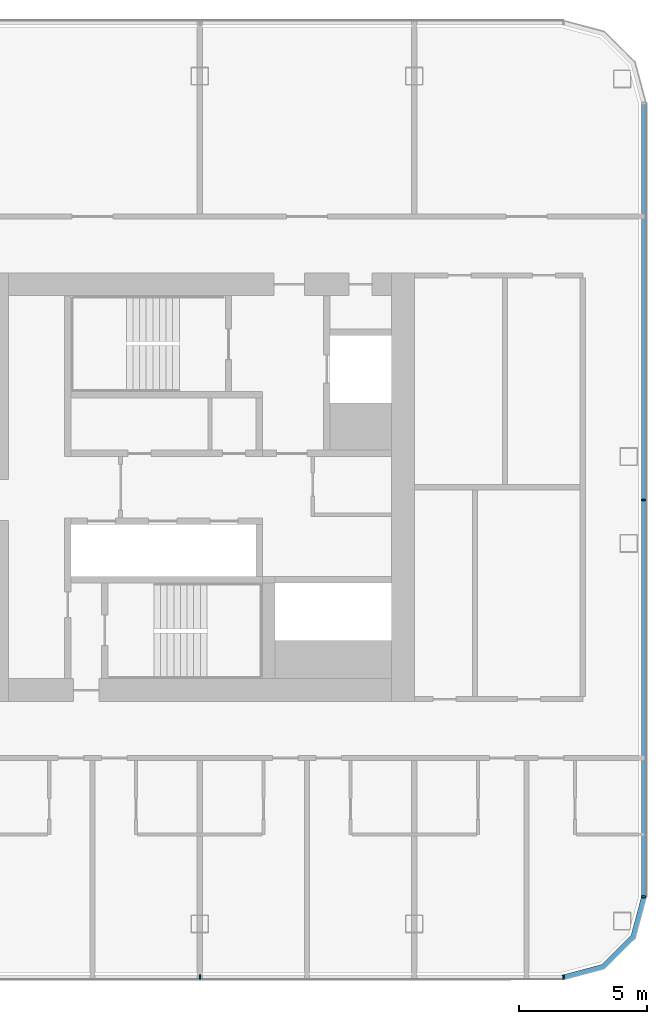
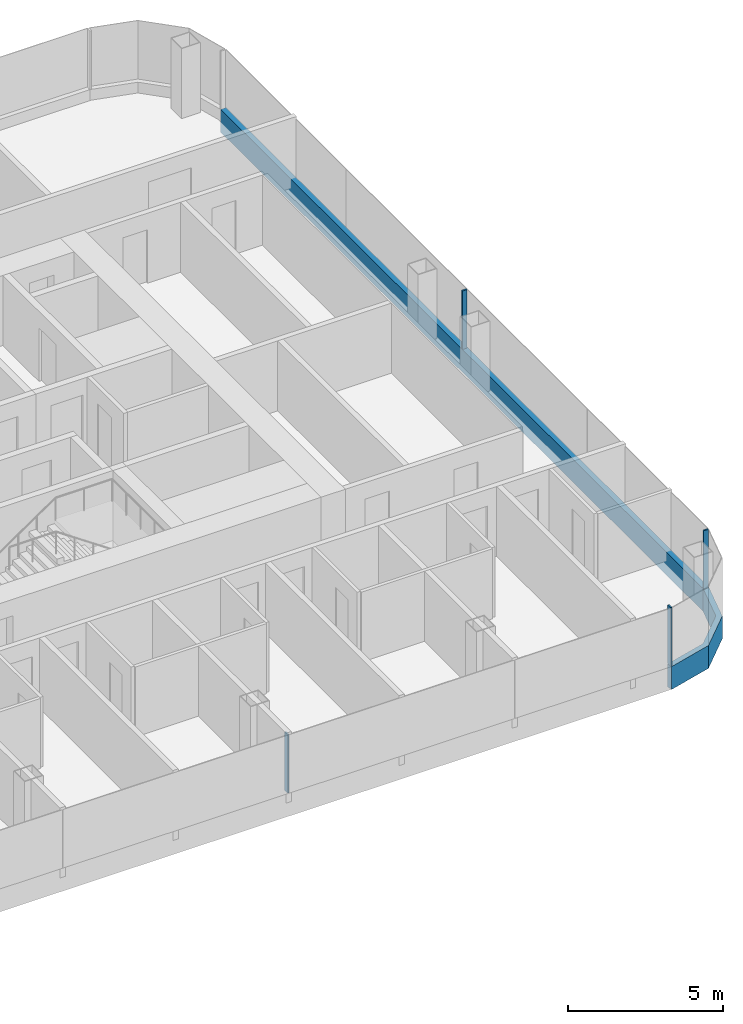
# One storey, part 9 of 26: 6 members, 3 elements without a shape of their own.
"""IFC4 building model written with IfcOpenShell, lengths in metres."""

import ifcopenshell
import ifcopenshell.guid

model = None  # the IFC model being written
_history = None  # IfcOwnerHistory: only IFC2X3 demands one
_inside = {}  # id of a spatial element -> (the spatial element, [elements in it])
_under = {}  # id of a project, library or spatial element -> (it, [spatial elements below it])
_declared = {}  # id of a project -> (the project, [libraries it declares])
_typed = {}  # id of a type object -> (the type object, [elements of that type])
_made_of = {}  # id of a material, layer set ... -> (it, [elements and type objects made of it])


def new_model(schema):
    """Start an empty IFC model of exactly this schema.

    Asked for "IFC4X3", IfcOpenShell would pick the latest addendum, in which some entities
    have other attributes; the version numbers below select the first issue.
    IFC2X3 requires an IfcOwnerHistory on every rooted entity: one is made here for all.
    """
    global model, _history
    if schema == "IFC4X3":
        model = ifcopenshell.file(schema_version=(4, 3, 0, 0))
    else:
        model = ifcopenshell.file(schema=schema)
    _inside.clear()
    _under.clear()
    _declared.clear()
    _typed.clear()
    _made_of.clear()
    _history = None
    if model.schema == "IFC2X3":
        org = make("IfcOrganization", Name="unknown")
        user = make(
            "IfcPersonAndOrganization",
            ThePerson=make("IfcPerson", FamilyName="unknown"),
            TheOrganization=org,
        )
        app = make(
            "IfcApplication",
            ApplicationDeveloper=org,
            Version="unknown",
            ApplicationFullName="unknown",
            ApplicationIdentifier="unknown",
        )
        _history = make(
            "IfcOwnerHistory",
            OwningUser=user,
            OwningApplication=app,
            ChangeAction="ADDED",
            CreationDate=0,
        )
    return model


def make(cls, **values):
    """One entity of the class cls with the attributes given. An attribute that is None is left unset."""
    return model.create_entity(
        cls, **{name: value for name, value in values.items() if value is not None}
    )


def rooted(cls, **values):
    """An entity with a GlobalId (a new one), such as an element, a storey or a relation."""
    return make(cls, GlobalId=ifcopenshell.guid.new(), OwnerHistory=_history, **values)


def si_unit(unit_type, name, prefix=None):
    """IfcSIUnit, for example si_unit("LENGTHUNIT", "METRE", prefix="MILLI")."""
    return make("IfcSIUnit", UnitType=unit_type, Prefix=prefix, Name=name)


def assignment(units):
    """IfcUnitAssignment: the units of a project."""
    return None if units is None else make("IfcUnitAssignment", Units=units)


def point(xyz):
    """IfcCartesianPoint."""
    return None if xyz is None else make("IfcCartesianPoint", Coordinates=xyz)


def direction(xyz):
    """IfcDirection."""
    return None if xyz is None else make("IfcDirection", DirectionRatios=xyz)


def frame(location, z_axis=None, x_axis=None):
    """IfcAxis2Placement3D, a coordinate frame: its origin and axes. An axis left out is left unset."""
    return make(
        "IfcAxis2Placement3D",
        Location=point(location),
        Axis=direction(z_axis),
        RefDirection=direction(x_axis),
    )


def frame_2d(location, x_axis=None):
    """IfcAxis2Placement2D, a coordinate frame in the plane: its origin and x axis."""
    return make(
        "IfcAxis2Placement2D", Location=point(location), RefDirection=direction(x_axis)
    )


def origin():
    """The frame at (0, 0, 0) with its axes left unset."""
    return frame((0.0, 0.0, 0.0))


def origin_2d():
    """The frame at (0, 0) in the plane with its x axis left unset."""
    return frame_2d((0.0, 0.0))


def place(relative_to, where):
    """IfcLocalPlacement: puts the frame where relative to a parent placement (None: the world)."""
    return make(
        "IfcLocalPlacement", PlacementRelTo=relative_to, RelativePlacement=where
    )


def context(
    kind, dimensions, precision=None, world=None, true_north=None, identifier=None
):
    """IfcGeometricRepresentationContext, for example the 3D "Model" context."""
    return make(
        "IfcGeometricRepresentationContext",
        ContextIdentifier=identifier,
        ContextType=kind,
        CoordinateSpaceDimension=dimensions,
        Precision=precision,
        WorldCoordinateSystem=world,
        TrueNorth=true_north,
    )


def subcontext(parent, identifier, kind, view, scale=None):
    """IfcGeometricRepresentationSubContext, for example "Body" below "Model"."""
    return make(
        "IfcGeometricRepresentationSubContext",
        ContextIdentifier=identifier,
        ContextType=kind,
        ParentContext=parent,
        TargetScale=scale,
        TargetView=view,
    )


def project(units=None, contexts=None):
    """IfcProject with its units and contexts."""
    return rooted(
        "IfcProject",
        Name="project",
        RepresentationContexts=contexts,
        UnitsInContext=assignment(units),
    )


def spatial(cls, under=None, at=None, **own):
    """A site, building, storey or space (cls), placed at a placement, below another one or the project."""
    s = rooted(cls, ObjectPlacement=at, **own)
    if under is not None:
        _under.setdefault(under.id(), (under, []))[1].append(s)
    return s


def polyline(points):
    """IfcPolyline through the points."""
    return make("IfcPolyline", Points=[point(p) for p in points])


def profile(cls, at=None, kind="AREA", **sizes):
    """A parametric profile (cls). Its sizes go by their IFC names, for example OverallWidth=200.0."""
    return make(cls, ProfileType=kind, Position=at, **sizes)


def rectangle(**sizes):
    """IfcRectangleProfileDef."""
    return profile("IfcRectangleProfileDef", **sizes)


def outline(outer, holes=None, kind="AREA"):
    """IfcArbitraryClosedProfileDef: a profile drawn as a closed curve; with holes, ...WithVoids."""
    if holes is None:
        return make("IfcArbitraryClosedProfileDef", ProfileType=kind, OuterCurve=outer)
    return make(
        "IfcArbitraryProfileDefWithVoids",
        ProfileType=kind,
        OuterCurve=outer,
        InnerCurves=holes,
    )


def extrude(swept, where, along, depth):
    """IfcExtrudedAreaSolid: the profile swept, set in the frame where, extruded along a direction by depth."""
    return make(
        "IfcExtrudedAreaSolid",
        SweptArea=swept,
        Position=where,
        ExtrudedDirection=direction(along),
        Depth=depth,
    )


def shape(context_of_items, identifier, shape_type, items):
    """IfcShapeRepresentation: the items that make up one representation, for example the "Body"."""
    return make(
        "IfcShapeRepresentation",
        ContextOfItems=context_of_items,
        RepresentationIdentifier=identifier,
        RepresentationType=shape_type,
        Items=items,
    )


def material(Name=None, Category=None):
    """IfcMaterial."""
    return make("IfcMaterial", Name=Name, Category=Category)


def layer(
    of_material, thickness, ventilated=None, Name=None, Category=None, Priority=None
):
    """IfcMaterialLayer: one layer of a wall or slab, of a material (None: an air gap)."""
    return make(
        "IfcMaterialLayer",
        Material=of_material,
        LayerThickness=thickness,
        IsVentilated=ventilated,
        Name=Name,
        Category=Category,
        Priority=Priority,
    )


def layer_set(layers, Name=None):
    """IfcMaterialLayerSet."""
    return make("IfcMaterialLayerSet", MaterialLayers=layers, LayerSetName=Name)


def material_profile(
    of_material, cross_section, Name=None, Category=None, Priority=None
):
    """IfcMaterialProfile: a cross section and its material."""
    return make(
        "IfcMaterialProfile",
        Name=Name,
        Material=of_material,
        Profile=cross_section,
        Priority=Priority,
        Category=Category,
    )


def profile_set(profiles, Name=None, composite=None):
    """IfcMaterialProfileSet."""
    return make(
        "IfcMaterialProfileSet",
        Name=Name,
        MaterialProfiles=profiles,
        CompositeProfile=composite,
    )


def made_of(thing, what):
    """Note that an element or type object is made of a material, layer set ...; save() writes the relation."""
    if what is not None:
        _made_of.setdefault(what.id(), (what, []))[1].append(thing)
    return thing


def type_object(cls, material=None, **own):
    """A type object (cls), such as IfcWallType, which elements share."""
    return made_of(rooted(cls, **own), material)


def element(
    cls,
    number,
    at=None,
    inside=None,
    cuts=None,
    type_object=None,
    material=None,
    context=None,
    identifier="Body",
    shape_type=None,
    held_by="IfcProductDefinitionShape",
    body=None,
    shapes=None,
    **own,
):
    """One element of the class cls, such as IfcWall. Its Tag is "e" and its number.

    at: its placement. inside: the storey or other place that contains it. cuts: it is an
    opening in that element (IfcRelVoidsElement). A single representation is given by context,
    identifier, shape_type and body (its items); several are given by shapes. held_by: the class
    of the entity that holds the representations. save() writes the other relations.
    """
    e = rooted(cls, Tag="e%d" % number, ObjectPlacement=at, **own)
    if body is not None:
        shapes = [shape(context, identifier, shape_type, body)]
    if shapes is not None:
        e.Representation = make(held_by, Representations=shapes)
    if inside is not None:
        _inside.setdefault(inside.id(), (inside, []))[1].append(e)
    if cuts is not None:
        rooted(
            "IfcRelVoidsElement", RelatingBuildingElement=cuts, RelatedOpeningElement=e
        )
    if type_object is not None:
        _typed.setdefault(type_object.id(), (type_object, []))[1].append(e)
    return made_of(e, material)


def aggregate(whole, parts):
    """IfcRelAggregates: a whole, such as a stair, and the parts it consists of."""
    return rooted("IfcRelAggregates", RelatingObject=whole, RelatedObjects=parts)


def save(model, path):
    """Write the relations noted so far, then the file.

    IfcRelAggregates (storeys below a building ...), IfcRelContainedInSpatialStructure (elements
    in a storey), IfcRelDefinesByType, IfcRelAssociatesMaterial and IfcRelDeclares: one each for
    every whole, place, type object, material and project.
    """
    for whole, parts in _under.values():
        aggregate(whole, parts)
    for where, things in _inside.values():
        rooted(
            "IfcRelContainedInSpatialStructure",
            RelatedElements=things,
            RelatingStructure=where,
        )
    for kind, things in _typed.values():
        rooted("IfcRelDefinesByType", RelatedObjects=things, RelatingType=kind)
    for what, things in _made_of.values():
        rooted("IfcRelAssociatesMaterial", RelatedObjects=things, RelatingMaterial=what)
    for by, libraries in _declared.values():
        rooted("IfcRelDeclares", RelatingContext=by, RelatedDefinitions=libraries)
    model.write(path)


model = new_model("IFC4")

# Units and contexts
model_context = context("Model", 3, precision=1e-05, world=origin(), true_north=direction((0.0, 1.0)))
body_context = subcontext(model_context, "Body", "Model", "MODEL_VIEW")
ifc_project = project(units=[si_unit("LENGTHUNIT", "METRE"), si_unit("AREAUNIT", "SQUARE_METRE"), si_unit("VOLUMEUNIT", "CUBIC_METRE"), si_unit("PLANEANGLEUNIT", "RADIAN"), si_unit("MASSUNIT", "GRAM", prefix="KILO")], contexts=[model_context])

# Site, building, storey
site_placement = place(None, origin())
site = spatial("IfcSite", under=ifc_project, at=site_placement, CompositionType="ELEMENT")
building_placement = place(site_placement, origin())
building = spatial("IfcBuilding", under=site, at=building_placement, Name="Hakoniwa Tower and Hamabe Station Hall", CompositionType="ELEMENT")
storey_placement = place(building_placement, frame((0.0, 0.0, 134.199951171875)))
storey = spatial("IfcBuildingStorey", under=building, at=storey_placement, Name="L37", CompositionType="ELEMENT", Elevation=134.199951171875)

# Curtain wall, member
ifc_material_1 = material(Name="Dark low-e laminated glass", Category="glass")
ifc_layer = layer(ifc_material_1, 0.199951171875)
ifc_layer_set = layer_set([ifc_layer], Name="CW-1 UNITISED GUEST")
curtain_wall_type = type_object("IfcCurtainWallType", Name="CW-1 UNITISED GUEST", PredefinedType="NOTDEFINED", material=ifc_layer_set)
curtain_wall_1_placement = place(storey_placement, origin())
curtain_wall_1 = element("IfcCurtainWall", 1, at=curtain_wall_1_placement, inside=storey, type_object=curtain_wall_type, Name="CW-1 curtain wall", PredefinedType="NOTDEFINED")
ifc_material_2 = material(Name="Aluminium 6063-T5 black anodised", Category="aluminium")
ifc_material_profile_1 = material_profile(ifc_material_2, rectangle(XDim=0.199951171875, YDim=0.89990234375, at=origin_2d()), Name="CW SLAB-EDGE BAND 900X200")
ifc_profile_set_1 = profile_set([ifc_material_profile_1], Name="Aluminium 6063-T5 black anodised")
member_type_1 = type_object("IfcMemberType", Name="CW SLAB-EDGE BAND 900X200", PredefinedType="USERDEFINED", material=ifc_profile_set_1)
member_1_placement = place(storey_placement, frame((42.60009765625, -16.03955078125, -0.099853515625), z_axis=(0.0, 1.0, 0.0), x_axis=(-1.0, 0.0, 0.0)))
member_1 = element("IfcMember", 2, at=member_1_placement, type_object=member_type_1, Name="CW-1 transom", ObjectType="TRANSOM", PredefinedType="USERDEFINED", context=body_context, shape_type="SweptSolid", body=[
    extrude(rectangle(XDim=0.199951171875, YDim=0.89990234375, at=origin_2d()), origin(), (0.0, 0.0, 1.0), 31.0791015625),
])

curtain_wall_2_placement = place(storey_placement, origin())
curtain_wall_2 = element("IfcCurtainWall", 3, at=curtain_wall_2_placement, inside=storey, type_object=curtain_wall_type, Name="CW-1 curtain wall", PredefinedType="NOTDEFINED")
member_2_placement = place(storey_placement, frame((0.0, 0.0, -0.550048828125)))
member_2 = element("IfcMember", 4, at=member_2_placement, type_object=member_type_1, Name="CW-1 transom", ObjectType="TRANSOM", PredefinedType="USERDEFINED", context=body_context, shape_type="SweptSolid", body=[
    extrude(outline(polyline([(39.439453125, -19.300048828125), (41.05517578125, -18.866943359375), (42.26708984375, -17.6552734375), (42.699951171875, -16.03955078125), (42.5068359375, -15.98779296875), (42.087646484375, -17.5517578125), (40.95166015625, -18.687744140625), (39.3876953125, -19.10693359375), (39.439453125, -19.300048828125)])), origin(), (0.0, 0.0, 1.0), 0.900146484375),
])
aggregate(curtain_wall_2, [member_2])

# Member
ifc_material_3 = material(Name="Aluminium 6063-T5 black anodised", Category="aluminium")
ifc_material_profile_2 = material_profile(ifc_material_3, rectangle(XDim=0.06005859375, YDim=0.179931640625, at=origin_2d()), Name="CW-1 MULLION 60X180")
ifc_profile_set_2 = profile_set([ifc_material_profile_2], Name="Aluminium 6063-T5 black anodised")
member_type_2 = type_object("IfcMemberType", Name="CW-1 MULLION 60X180", PredefinedType="MULLION", material=ifc_profile_set_2)
member_3_placement = place(storey_placement, frame((42.58203125, -16.03955078125, 0.35009765625), z_axis=(0.0, 0.0, 1.0), x_axis=(0.0, 1.0, 0.0)))
member_3 = element("IfcMember", 5, at=member_3_placement, type_object=member_type_2, Name="CW-1 mullion", PredefinedType="MULLION", context=body_context, shape_type="SweptSolid", body=[
    extrude(rectangle(XDim=0.06005859375, YDim=0.179931640625, at=origin_2d()), origin(), (0.0, 0.0, 1.0), 2.300048828125),
])

member_4_placement = place(storey_placement, frame((42.58203125, -0.5, 0.35009765625), z_axis=(0.0, 0.0, 1.0), x_axis=(0.0, 1.0, 0.0)))
member_4 = element("IfcMember", 6, at=member_4_placement, type_object=member_type_2, Name="CW-1 mullion", PredefinedType="MULLION", context=body_context, shape_type="SweptSolid", body=[
    extrude(rectangle(XDim=0.06005859375, YDim=0.179931640625, at=origin_2d()), origin(), (0.0, 0.0, 1.0), 2.300048828125),
])

aggregate(curtain_wall_1, [member_3, member_4, member_1])

# Curtain wall, members
curtain_wall_3_placement = place(storey_placement, origin())
curtain_wall_3 = element("IfcCurtainWall", 7, at=curtain_wall_3_placement, inside=storey, type_object=curtain_wall_type, Name="CW-1 curtain wall", PredefinedType="NOTDEFINED")
member_5_placement = place(storey_placement, frame((25.199951171875, -19.181884765625, 0.35009765625), z_axis=(0.0, 0.0, 1.0), x_axis=(1.0, 0.0, 0.0)))
member_5 = element("IfcMember", 8, at=member_5_placement, type_object=member_type_2, Name="CW-1 mullion", PredefinedType="MULLION", context=body_context, shape_type="SweptSolid", body=[
    extrude(rectangle(XDim=0.06005859375, YDim=0.179931640625, at=origin_2d()), origin(), (0.0, 0.0, 1.0), 2.300048828125),
])
member_6_placement = place(storey_placement, frame((39.439453125, -19.181884765625, 0.35009765625), z_axis=(0.0, 0.0, 1.0), x_axis=(1.0, 0.0, 0.0)))
member_6 = element("IfcMember", 9, at=member_6_placement, type_object=member_type_2, Name="CW-1 mullion", PredefinedType="MULLION", context=body_context, shape_type="SweptSolid", body=[
    extrude(rectangle(XDim=0.06005859375, YDim=0.179931640625, at=origin_2d()), origin(), (0.0, 0.0, 1.0), 2.300048828125),
])
aggregate(curtain_wall_3, [member_5, member_6])

save(model, "model.ifc")
